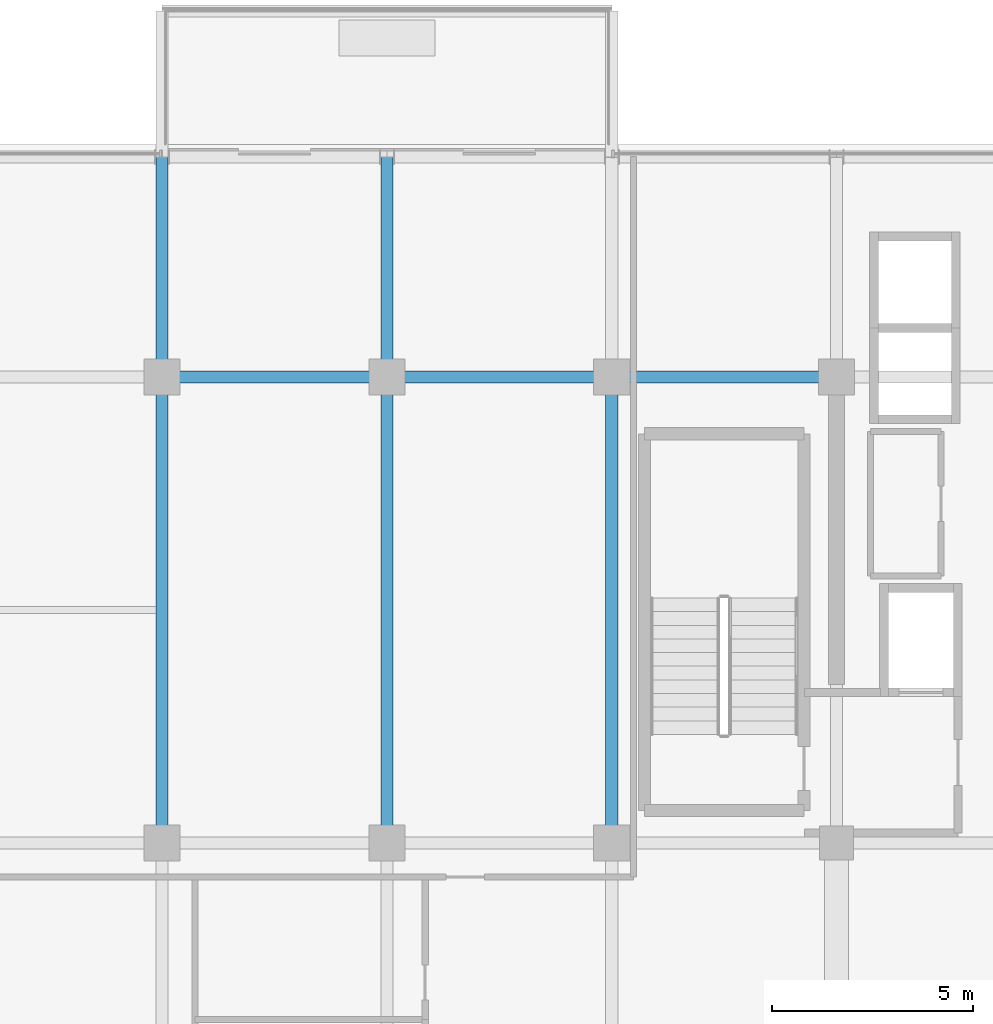
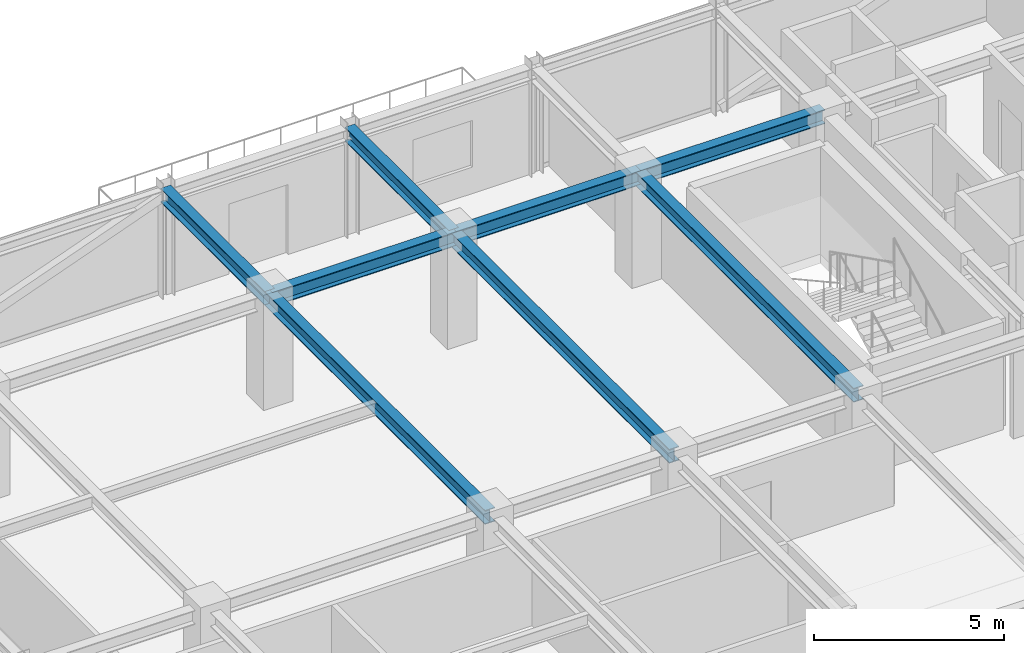
# One storey, part 20 of 36: 8 beams.
"""IFC4 building model written with IfcOpenShell, lengths in metres."""

import ifcopenshell
import ifcopenshell.guid

model = None  # the IFC model being written
_history = None  # IfcOwnerHistory: only IFC2X3 demands one
_inside = {}  # id of a spatial element -> (the spatial element, [elements in it])
_under = {}  # id of a project, library or spatial element -> (it, [spatial elements below it])
_declared = {}  # id of a project -> (the project, [libraries it declares])
_typed = {}  # id of a type object -> (the type object, [elements of that type])
_made_of = {}  # id of a material, layer set ... -> (it, [elements and type objects made of it])


def new_model(schema):
    """Start an empty IFC model of exactly this schema.

    Asked for "IFC4X3", IfcOpenShell would pick the latest addendum, in which some entities
    have other attributes; the version numbers below select the first issue.
    IFC2X3 requires an IfcOwnerHistory on every rooted entity: one is made here for all.
    """
    global model, _history
    if schema == "IFC4X3":
        model = ifcopenshell.file(schema_version=(4, 3, 0, 0))
    else:
        model = ifcopenshell.file(schema=schema)
    _inside.clear()
    _under.clear()
    _declared.clear()
    _typed.clear()
    _made_of.clear()
    _history = None
    if model.schema == "IFC2X3":
        org = make("IfcOrganization", Name="unknown")
        user = make(
            "IfcPersonAndOrganization",
            ThePerson=make("IfcPerson", FamilyName="unknown"),
            TheOrganization=org,
        )
        app = make(
            "IfcApplication",
            ApplicationDeveloper=org,
            Version="unknown",
            ApplicationFullName="unknown",
            ApplicationIdentifier="unknown",
        )
        _history = make(
            "IfcOwnerHistory",
            OwningUser=user,
            OwningApplication=app,
            ChangeAction="ADDED",
            CreationDate=0,
        )
    return model


def make(cls, **values):
    """One entity of the class cls with the attributes given. An attribute that is None is left unset."""
    return model.create_entity(
        cls, **{name: value for name, value in values.items() if value is not None}
    )


def rooted(cls, **values):
    """An entity with a GlobalId (a new one), such as an element, a storey or a relation."""
    return make(cls, GlobalId=ifcopenshell.guid.new(), OwnerHistory=_history, **values)


def si_unit(unit_type, name, prefix=None):
    """IfcSIUnit, for example si_unit("LENGTHUNIT", "METRE", prefix="MILLI")."""
    return make("IfcSIUnit", UnitType=unit_type, Prefix=prefix, Name=name)


def assignment(units):
    """IfcUnitAssignment: the units of a project."""
    return None if units is None else make("IfcUnitAssignment", Units=units)


def point(xyz):
    """IfcCartesianPoint."""
    return None if xyz is None else make("IfcCartesianPoint", Coordinates=xyz)


def direction(xyz):
    """IfcDirection."""
    return None if xyz is None else make("IfcDirection", DirectionRatios=xyz)


def frame(location, z_axis=None, x_axis=None):
    """IfcAxis2Placement3D, a coordinate frame: its origin and axes. An axis left out is left unset."""
    return make(
        "IfcAxis2Placement3D",
        Location=point(location),
        Axis=direction(z_axis),
        RefDirection=direction(x_axis),
    )


def frame_2d(location, x_axis=None):
    """IfcAxis2Placement2D, a coordinate frame in the plane: its origin and x axis."""
    return make(
        "IfcAxis2Placement2D", Location=point(location), RefDirection=direction(x_axis)
    )


def origin():
    """The frame at (0, 0, 0) with its axes left unset."""
    return frame((0.0, 0.0, 0.0))


def origin_2d():
    """The frame at (0, 0) in the plane with its x axis left unset."""
    return frame_2d((0.0, 0.0))


def place(relative_to, where):
    """IfcLocalPlacement: puts the frame where relative to a parent placement (None: the world)."""
    return make(
        "IfcLocalPlacement", PlacementRelTo=relative_to, RelativePlacement=where
    )


def context(
    kind, dimensions, precision=None, world=None, true_north=None, identifier=None
):
    """IfcGeometricRepresentationContext, for example the 3D "Model" context."""
    return make(
        "IfcGeometricRepresentationContext",
        ContextIdentifier=identifier,
        ContextType=kind,
        CoordinateSpaceDimension=dimensions,
        Precision=precision,
        WorldCoordinateSystem=world,
        TrueNorth=true_north,
    )


def subcontext(parent, identifier, kind, view, scale=None):
    """IfcGeometricRepresentationSubContext, for example "Body" below "Model"."""
    return make(
        "IfcGeometricRepresentationSubContext",
        ContextIdentifier=identifier,
        ContextType=kind,
        ParentContext=parent,
        TargetScale=scale,
        TargetView=view,
    )


def project(units=None, contexts=None):
    """IfcProject with its units and contexts."""
    return rooted(
        "IfcProject",
        Name="project",
        RepresentationContexts=contexts,
        UnitsInContext=assignment(units),
    )


def spatial(cls, under=None, at=None, **own):
    """A site, building, storey or space (cls), placed at a placement, below another one or the project."""
    s = rooted(cls, ObjectPlacement=at, **own)
    if under is not None:
        _under.setdefault(under.id(), (under, []))[1].append(s)
    return s


def profile(cls, at=None, kind="AREA", **sizes):
    """A parametric profile (cls). Its sizes go by their IFC names, for example OverallWidth=200.0."""
    return make(cls, ProfileType=kind, Position=at, **sizes)


def i_section(**sizes):
    """IfcIShapeProfileDef."""
    return profile("IfcIShapeProfileDef", **sizes)


def extrude(swept, where, along, depth):
    """IfcExtrudedAreaSolid: the profile swept, set in the frame where, extruded along a direction by depth."""
    return make(
        "IfcExtrudedAreaSolid",
        SweptArea=swept,
        Position=where,
        ExtrudedDirection=direction(along),
        Depth=depth,
    )


def shape(context_of_items, identifier, shape_type, items):
    """IfcShapeRepresentation: the items that make up one representation, for example the "Body"."""
    return make(
        "IfcShapeRepresentation",
        ContextOfItems=context_of_items,
        RepresentationIdentifier=identifier,
        RepresentationType=shape_type,
        Items=items,
    )


def source(mapping_origin, context_of_items, identifier, shape_type, items):
    """IfcRepresentationMap: a shape defined once, which mapped items show again and again."""
    return make(
        "IfcRepresentationMap",
        MappingOrigin=mapping_origin,
        MappedRepresentation=shape(context_of_items, identifier, shape_type, items),
    )


def transform(
    local_origin,
    x_axis=None,
    y_axis=None,
    z_axis=None,
    scale=None,
    scale2=None,
    scale3=None,
    uniform=True,
):
    """IfcCartesianTransformationOperator3D, or its non-uniform kind. x_axis, y_axis, z_axis: its Axis1, 2, 3."""
    if uniform:
        return make(
            "IfcCartesianTransformationOperator3D",
            Axis1=direction(x_axis),
            Axis2=direction(y_axis),
            LocalOrigin=point(local_origin),
            Scale=scale,
            Axis3=direction(z_axis),
        )
    return make(
        "IfcCartesianTransformationOperator3DnonUniform",
        Axis1=direction(x_axis),
        Axis2=direction(y_axis),
        LocalOrigin=point(local_origin),
        Scale=scale,
        Axis3=direction(z_axis),
        Scale2=scale2,
        Scale3=scale3,
    )


def mapped(mapping_source, mapping_target):
    """IfcMappedItem: shows the shape of a source again, moved by a transform."""
    return make(
        "IfcMappedItem", MappingSource=mapping_source, MappingTarget=mapping_target
    )


def material(Name=None, Category=None):
    """IfcMaterial."""
    return make("IfcMaterial", Name=Name, Category=Category)


def material_profile(
    of_material, cross_section, Name=None, Category=None, Priority=None
):
    """IfcMaterialProfile: a cross section and its material."""
    return make(
        "IfcMaterialProfile",
        Name=Name,
        Material=of_material,
        Profile=cross_section,
        Priority=Priority,
        Category=Category,
    )


def profile_set(profiles, Name=None, composite=None):
    """IfcMaterialProfileSet."""
    return make(
        "IfcMaterialProfileSet",
        Name=Name,
        MaterialProfiles=profiles,
        CompositeProfile=composite,
    )


def made_of(thing, what):
    """Note that an element or type object is made of a material, layer set ...; save() writes the relation."""
    if what is not None:
        _made_of.setdefault(what.id(), (what, []))[1].append(thing)
    return thing


def type_object(cls, material=None, **own):
    """A type object (cls), such as IfcWallType, which elements share."""
    return made_of(rooted(cls, **own), material)


def element(
    cls,
    number,
    at=None,
    inside=None,
    cuts=None,
    type_object=None,
    material=None,
    context=None,
    identifier="Body",
    shape_type=None,
    held_by="IfcProductDefinitionShape",
    body=None,
    shapes=None,
    **own,
):
    """One element of the class cls, such as IfcWall. Its Tag is "e" and its number.

    at: its placement. inside: the storey or other place that contains it. cuts: it is an
    opening in that element (IfcRelVoidsElement). A single representation is given by context,
    identifier, shape_type and body (its items); several are given by shapes. held_by: the class
    of the entity that holds the representations. save() writes the other relations.
    """
    e = rooted(cls, Tag="e%d" % number, ObjectPlacement=at, **own)
    if body is not None:
        shapes = [shape(context, identifier, shape_type, body)]
    if shapes is not None:
        e.Representation = make(held_by, Representations=shapes)
    if inside is not None:
        _inside.setdefault(inside.id(), (inside, []))[1].append(e)
    if cuts is not None:
        rooted(
            "IfcRelVoidsElement", RelatingBuildingElement=cuts, RelatedOpeningElement=e
        )
    if type_object is not None:
        _typed.setdefault(type_object.id(), (type_object, []))[1].append(e)
    return made_of(e, material)


def aggregate(whole, parts):
    """IfcRelAggregates: a whole, such as a stair, and the parts it consists of."""
    return rooted("IfcRelAggregates", RelatingObject=whole, RelatedObjects=parts)


def save(model, path):
    """Write the relations noted so far, then the file.

    IfcRelAggregates (storeys below a building ...), IfcRelContainedInSpatialStructure (elements
    in a storey), IfcRelDefinesByType, IfcRelAssociatesMaterial and IfcRelDeclares: one each for
    every whole, place, type object, material and project.
    """
    for whole, parts in _under.values():
        aggregate(whole, parts)
    for where, things in _inside.values():
        rooted(
            "IfcRelContainedInSpatialStructure",
            RelatedElements=things,
            RelatingStructure=where,
        )
    for kind, things in _typed.values():
        rooted("IfcRelDefinesByType", RelatedObjects=things, RelatingType=kind)
    for what, things in _made_of.values():
        rooted("IfcRelAssociatesMaterial", RelatedObjects=things, RelatingMaterial=what)
    for by, libraries in _declared.values():
        rooted("IfcRelDeclares", RelatingContext=by, RelatedDefinitions=libraries)
    model.write(path)


model = new_model("IFC4")

# Units and contexts
model_context = context("Model", 3, precision=1e-05, world=origin(), true_north=direction((0.0, 1.0)))
body_context = subcontext(model_context, "Body", "Model", "MODEL_VIEW")
ifc_project = project(units=[si_unit("LENGTHUNIT", "METRE"), si_unit("AREAUNIT", "SQUARE_METRE"), si_unit("VOLUMEUNIT", "CUBIC_METRE"), si_unit("PLANEANGLEUNIT", "RADIAN"), si_unit("MASSUNIT", "GRAM", prefix="KILO")], contexts=[model_context])

# Site, building, storey
site_placement = place(None, origin())
site = spatial("IfcSite", under=ifc_project, at=site_placement, CompositionType="ELEMENT")
building_placement = place(site_placement, origin())
building = spatial("IfcBuilding", under=site, at=building_placement, Name="Nahalor Promenade Grand Hotel", CompositionType="ELEMENT")
storey_placement = place(building_placement, frame((0.0, 0.0, 273.800048828125)))
storey = spatial("IfcBuildingStorey", under=building, at=storey_placement, Name="L70", CompositionType="ELEMENT", Elevation=273.800048828125)

# Beams
ifc_material = material(Name="Steel S355JR", Category="steel")
ifc_material_profile = material_profile(ifc_material, i_section(OverallWidth=0.3, OverallDepth=0.45, WebThickness=0.014, FlangeThickness=0.026, at=origin_2d()), Name="HEB 450")
ifc_profile_set = profile_set([ifc_material_profile], Name="Steel S355JR")
beam_type = type_object("IfcBeamType", Name="Beam-Girder-HEB450", PredefinedType="BEAM", material=ifc_profile_set)
shared_shape_1 = source(origin(), body_context, "Body", "SweptSolid", [
    extrude(i_section(OverallWidth=0.3, OverallDepth=0.45, WebThickness=0.014, FlangeThickness=0.026, at=origin_2d()), origin(), (0.0, 0.0, 1.0), 5.599853515625),
])
for number, where, z_axis, x_axis, name in (
    (1, (-8.39990234375, 17.0, 3.224853515625), (1.0, 0.0, 0.0), (0.0, 1.0, 0.0), "BM-L70-GX-3-2"),
    (2, (2.800048828125, 17.0, 3.224853515625), (1.0, 0.0, 0.0), (0.0, 1.0, 0.0), "BM-L70-GX-3-4"),
):
    element("IfcBeam", number, at=place(storey_placement, frame(where, z_axis=z_axis, x_axis=x_axis)), inside=storey, type_object=beam_type, Name=name, PredefinedType="BEAM", context=body_context, shape_type="MappedRepresentation", body=[
        mapped(shared_shape_1, transform((0.0, 0.0, 0.0), scale=1.0)),
    ])
shared_shape_2 = source(origin(), body_context, "Body", "SweptSolid", [
    extrude(i_section(OverallWidth=0.3, OverallDepth=0.45, WebThickness=0.014, FlangeThickness=0.026, at=origin_2d()), origin(), (0.0, 0.0, 1.0), 5.60009765625),
])
beam_placement = place(storey_placement, frame((-2.800048828125, 17.0, 3.224853515625), z_axis=(1.0, 0.0, 0.0), x_axis=(0.0, 1.0, 0.0)))
element("IfcBeam", 3, at=beam_placement, inside=storey, type_object=beam_type, Name="BM-L70-GX-3-3", PredefinedType="BEAM", context=body_context, shape_type="MappedRepresentation", body=[
    mapped(shared_shape_2, transform((0.0, 0.0, 0.0), scale=1.0)),
])
shared_shape_3 = source(origin(), body_context, "Body", "SweptSolid", [
    extrude(i_section(OverallWidth=0.3, OverallDepth=0.45, WebThickness=0.014, FlangeThickness=0.026, at=origin_2d()), origin(), (0.0, 0.0, 1.0), 11.60009765625),
])
for number, where, z_axis, x_axis, name in (
    (4, (-8.39990234375, 5.39990234375, 3.224853515625), (0.0, 1.0, 0.0), (-1.0, 0.0, 0.0), "BM-L70-GY-1-3"),
    (5, (-2.800048828125, 5.39990234375, 3.224853515625), (0.0, 1.0, 0.0), (-1.0, 0.0, 0.0), "BM-L70-GY-2-3"),
    (6, (2.800048828125, 5.39990234375, 3.224853515625), (0.0, 1.0, 0.0), (-1.0, 0.0, 0.0), "BM-L70-GY-3-3"),
):
    element("IfcBeam", number, at=place(storey_placement, frame(where, z_axis=z_axis, x_axis=x_axis)), inside=storey, type_object=beam_type, Name=name, PredefinedType="BEAM", context=body_context, shape_type="MappedRepresentation", body=[
        mapped(shared_shape_3, transform((0.0, 0.0, 0.0), scale=1.0)),
    ])
shared_shape_4 = source(origin(), body_context, "Body", "SweptSolid", [
    extrude(i_section(OverallWidth=0.3, OverallDepth=0.45, WebThickness=0.014, FlangeThickness=0.026, at=origin_2d()), origin(), (0.0, 0.0, 1.0), 5.47998046875),
])
for number, where, z_axis, x_axis, name in (
    (7, (-8.39990234375, 17.0, 3.224853515625), (0.0, 1.0, 0.0), (-1.0, 0.0, 0.0), "BM-L70-GY-1-4"),
    (8, (-2.800048828125, 17.0, 3.224853515625), (0.0, 1.0, 0.0), (-1.0, 0.0, 0.0), "BM-L70-GY-2-4"),
):
    element("IfcBeam", number, at=place(storey_placement, frame(where, z_axis=z_axis, x_axis=x_axis)), inside=storey, type_object=beam_type, Name=name, PredefinedType="BEAM", context=body_context, shape_type="MappedRepresentation", body=[
        mapped(shared_shape_4, transform((0.0, 0.0, 0.0), scale=1.0)),
    ])

save(model, "model.ifc")
